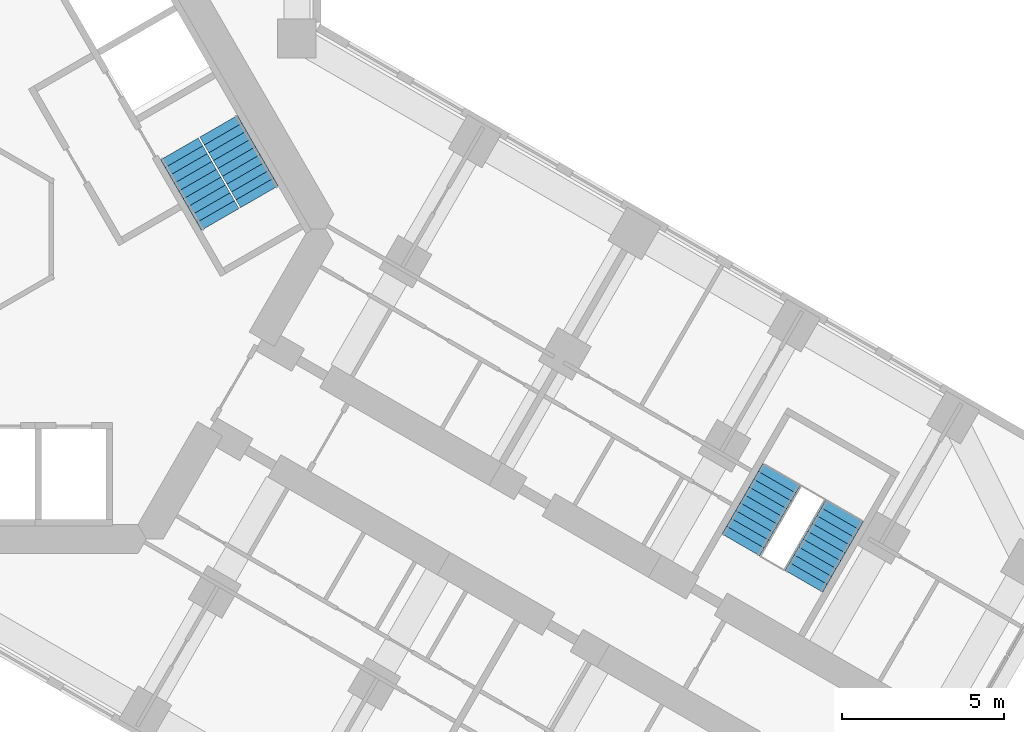
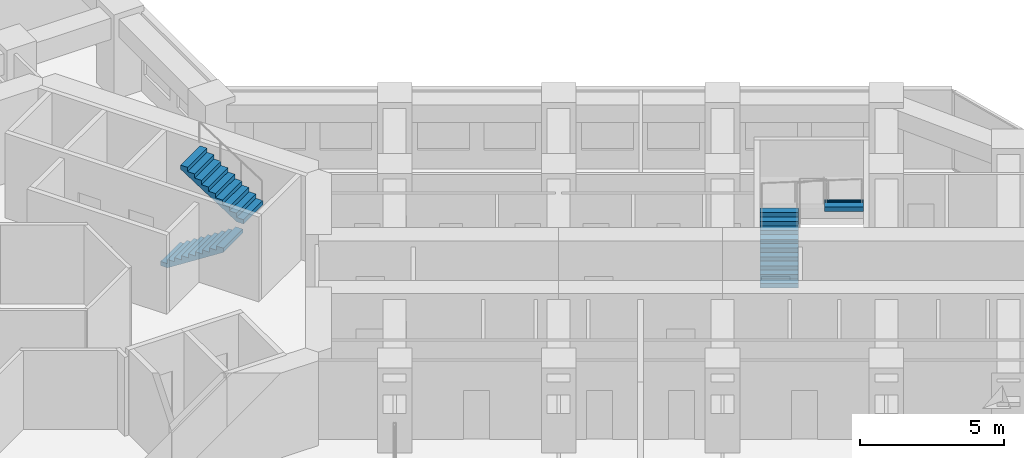
# One storey, part 19 of 20: 4 stair flights, 2 elements without a shape of their own.
"""IFC4 building model written with IfcOpenShell, lengths in metres."""

from ifc_helpers import new_model, si_unit, direction, frame, origin, place, context, subcontext, project, spatial, polyline, outline, extrude, material, type_object, element, aggregate, save


model = new_model("IFC4")

# Units and contexts
model_context = context("Model", 3, precision=1e-05, world=origin(), true_north=direction((0.0, 1.0)))
body_context = subcontext(model_context, "Body", "Model", "MODEL_VIEW")
ifc_project = project(units=[si_unit("LENGTHUNIT", "METRE"), si_unit("AREAUNIT", "SQUARE_METRE"), si_unit("VOLUMEUNIT", "CUBIC_METRE"), si_unit("PLANEANGLEUNIT", "RADIAN"), si_unit("MASSUNIT", "GRAM", prefix="KILO")], contexts=[model_context])

# Site, building, storey
site_placement = place(None, origin())
site = spatial("IfcSite", under=ifc_project, at=site_placement, CompositionType="ELEMENT")
building_placement = place(site_placement, origin())
building = spatial("IfcBuilding", under=site, at=building_placement, Name="Kosmar Iwan School Tower", CompositionType="ELEMENT")
storey_placement = place(building_placement, frame((0.0, 0.0, 127.39990234375)))
storey = spatial("IfcBuildingStorey", under=building, at=storey_placement, Name="L31", CompositionType="ELEMENT", Elevation=127.39990234375)

# Stair, stair flights
ifc_material_1 = material(Name="Concrete C35/45", Category="concrete")
stair_type_1 = type_object("IfcStairType", Name="Escape stair 3600", PredefinedType="HALF_TURN_STAIR", material=ifc_material_1)
stair_1_placement = place(storey_placement, origin())
stair_1 = element("IfcStair", 1, at=stair_1_placement, inside=storey, type_object=stair_type_1, Name="Stair WS3 L31", PredefinedType="HALF_TURN_STAIR")
ifc_material_2 = material(Name="Concrete C35/45", Category="concrete")
stair_flight_type_1 = type_object("IfcStairFlightType", Name="Escape stair flight 1350", PredefinedType="STRAIGHT", material=ifc_material_2)
stair_flight_1_placement = place(storey_placement, frame((23.94189453125, -9.781494140625, 0.0), z_axis=(0.0, 0.0, 1.0), x_axis=(0.5, 0.866025403784, 0.0)))
stair_flight_1 = element("IfcStairFlight", 2, at=stair_flight_1_placement, type_object=stair_flight_type_1, Name="WS3 flight 1", NumberOfRisers=10, NumberOfTreads=9, PredefinedType="STRAIGHT", RiserHeight=0.18, TreadLength=0.28, context=body_context, shape_type="SweptSolid", body=[
    extrude(outline(polyline([(0.0, 0.0), (0.0, 0.179931640625), (0.280029296875, 0.179931640625), (0.280029296875, 0.360107421875), (0.56005859375, 0.360107421875), (0.56005859375, 0.5400390625), (0.840087890625, 0.5400390625), (0.840087890625, 0.719970703125), (1.1201171875, 0.719970703125), (1.1201171875, 0.89990234375), (1.39990234375, 0.89990234375), (1.39990234375, 1.080078125), (1.679931640625, 1.080078125), (1.679931640625, 1.260009765625), (1.9599609375, 1.260009765625), (1.9599609375, 1.43994140625), (2.239990234375, 1.43994140625), (2.239990234375, 1.6201171875), (2.52001953125, 1.6201171875), (2.52001953125, 1.800048828125), (2.52001953125, 1.44189453125), (0.277099609375, 0.0), (0.0, 0.0)])), frame((0.0, 0.675048828125, 0.0), z_axis=(0.0, -1.0, 0.0), x_axis=(1.0, 0.0, 0.0)), (0.0, 0.0, 1.0), 1.35009765625),
])
stair_flight_2_placement = place(storey_placement, frame((27.150390625, -8.72412109375, 1.800048828125), z_axis=(0.0, 0.0, 1.0), x_axis=(-0.5, -0.866025403784, 0.0)))
stair_flight_2 = element("IfcStairFlight", 3, at=stair_flight_2_placement, type_object=stair_flight_type_1, Name="WS3 flight 2", NumberOfRisers=10, NumberOfTreads=9, PredefinedType="STRAIGHT", RiserHeight=0.18, TreadLength=0.28, context=body_context, shape_type="SweptSolid", body=[
    extrude(outline(polyline([(0.0, 0.0), (0.0, 0.179931640625), (0.280029296875, 0.179931640625), (0.280029296875, 0.360107421875), (0.56005859375, 0.360107421875), (0.56005859375, 0.5400390625), (0.840087890625, 0.5400390625), (0.840087890625, 0.719970703125), (1.1201171875, 0.719970703125), (1.1201171875, 0.89990234375), (1.39990234375, 0.89990234375), (1.39990234375, 1.080078125), (1.679931640625, 1.080078125), (1.679931640625, 1.260009765625), (1.9599609375, 1.260009765625), (1.9599609375, 1.43994140625), (2.239990234375, 1.43994140625), (2.239990234375, 1.6201171875), (2.52001953125, 1.6201171875), (2.52001953125, 1.800048828125), (2.52001953125, 1.44189453125), (0.277099609375, 0.0), (0.0, 0.0)])), frame((0.0, 0.675048828125, 0.0), z_axis=(0.0, -1.0, 0.0), x_axis=(1.0, 0.0, 0.0)), (0.0, 0.0, 1.0), 1.35009765625),
])
aggregate(stair_1, [stair_flight_1, stair_flight_2])

ifc_material_3 = material(Name="Concrete C35/45", Category="concrete")
stair_type_2 = type_object("IfcStairType", Name="Core stair 2750", PredefinedType="HALF_TURN_STAIR", material=ifc_material_3)
stair_2_placement = place(storey_placement, origin())
stair_2 = element("IfcStair", 4, at=stair_2_placement, inside=storey, type_object=stair_type_2, Name="Stair ST1 L31", PredefinedType="HALF_TURN_STAIR")
ifc_material_4 = material(Name="Concrete C35/45", Category="concrete")
stair_flight_type_2 = type_object("IfcStairFlightType", Name="Stair flight 1350", PredefinedType="STRAIGHT", material=ifc_material_4)
stair_flight_3_placement = place(storey_placement, frame((6.567138671875, 2.475341796875, 0.0), z_axis=(0.0, 0.0, 1.0), x_axis=(0.5, -0.866025403784, 0.0)))
stair_flight_3 = element("IfcStairFlight", 5, at=stair_flight_3_placement, type_object=stair_flight_type_2, Name="ST1 flight 1", NumberOfRisers=10, NumberOfTreads=9, PredefinedType="STRAIGHT", RiserHeight=0.18, TreadLength=0.28, context=body_context, shape_type="SweptSolid", body=[
    extrude(outline(polyline([(0.0, 0.0), (0.0, 0.179931640625), (0.280029296875, 0.179931640625), (0.280029296875, 0.360107421875), (0.56005859375, 0.360107421875), (0.56005859375, 0.5400390625), (0.840087890625, 0.5400390625), (0.840087890625, 0.719970703125), (1.1201171875, 0.719970703125), (1.1201171875, 0.89990234375), (1.39990234375, 0.89990234375), (1.39990234375, 1.080078125), (1.679931640625, 1.080078125), (1.679931640625, 1.260009765625), (1.9599609375, 1.260009765625), (1.9599609375, 1.43994140625), (2.239990234375, 1.43994140625), (2.239990234375, 1.6201171875), (2.52001953125, 1.6201171875), (2.52001953125, 1.800048828125), (2.52001953125, 1.44189453125), (0.277099609375, 0.0), (0.0, 0.0)])), frame((0.0, 0.675048828125, 0.0), z_axis=(0.0, -1.0, 0.0), x_axis=(1.0, 0.0, 0.0)), (0.0, 0.0, 1.0), 1.35009765625),
])
stair_flight_4_placement = place(storey_placement, frame((9.03955078125, 0.992919921875, 1.800048828125), z_axis=(0.0, 0.0, 1.0), x_axis=(-0.5, 0.866025403784, 0.0)))
stair_flight_4 = element("IfcStairFlight", 6, at=stair_flight_4_placement, type_object=stair_flight_type_2, Name="ST1 flight 2", NumberOfRisers=10, NumberOfTreads=9, PredefinedType="STRAIGHT", RiserHeight=0.18, TreadLength=0.28, context=body_context, shape_type="SweptSolid", body=[
    extrude(outline(polyline([(0.0, 0.0), (0.0, 0.179931640625), (0.280029296875, 0.179931640625), (0.280029296875, 0.360107421875), (0.56005859375, 0.360107421875), (0.56005859375, 0.5400390625), (0.840087890625, 0.5400390625), (0.840087890625, 0.719970703125), (1.1201171875, 0.719970703125), (1.1201171875, 0.89990234375), (1.39990234375, 0.89990234375), (1.39990234375, 1.080078125), (1.679931640625, 1.080078125), (1.679931640625, 1.260009765625), (1.9599609375, 1.260009765625), (1.9599609375, 1.43994140625), (2.239990234375, 1.43994140625), (2.239990234375, 1.6201171875), (2.52001953125, 1.6201171875), (2.52001953125, 1.800048828125), (2.52001953125, 1.44189453125), (0.277099609375, 0.0), (0.0, 0.0)])), frame((0.0, 0.675048828125, 0.0), z_axis=(0.0, -1.0, 0.0), x_axis=(1.0, 0.0, 0.0)), (0.0, 0.0, 1.0), 1.35009765625),
])
aggregate(stair_2, [stair_flight_3, stair_flight_4])

save(model, "model.ifc")
